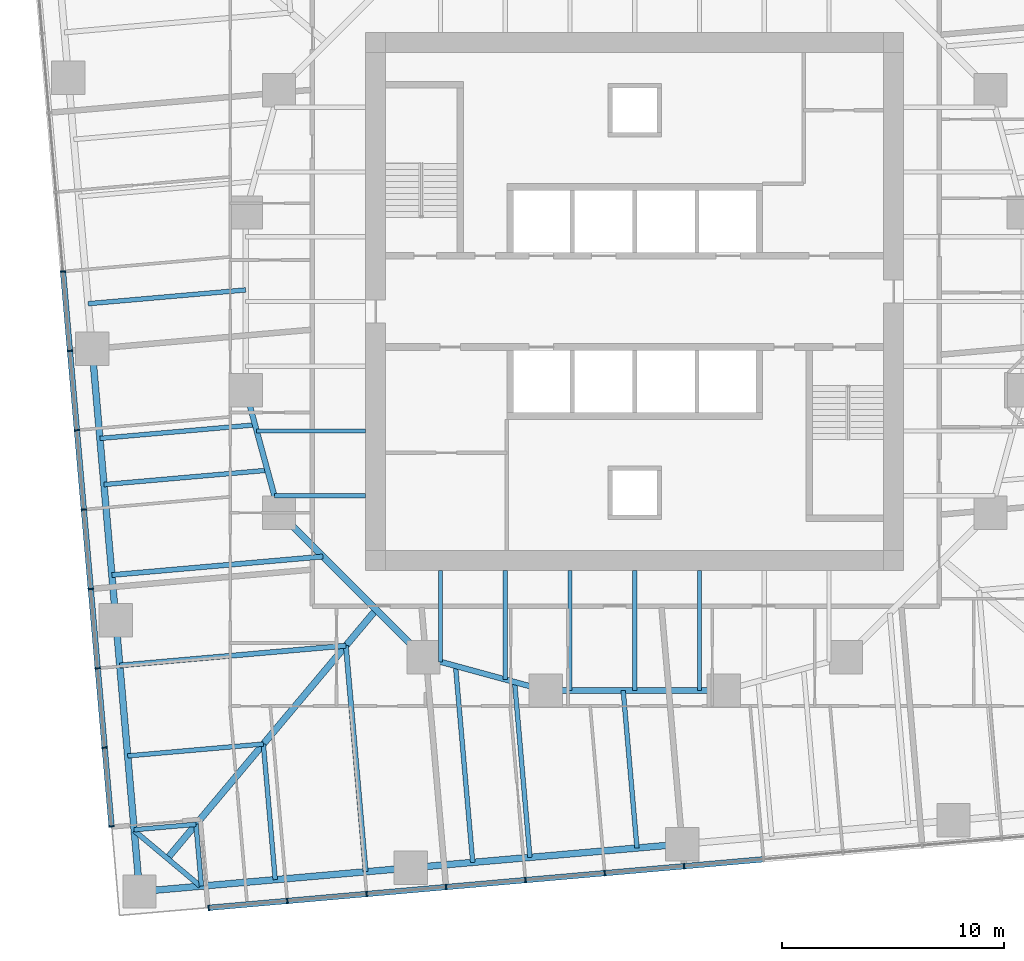
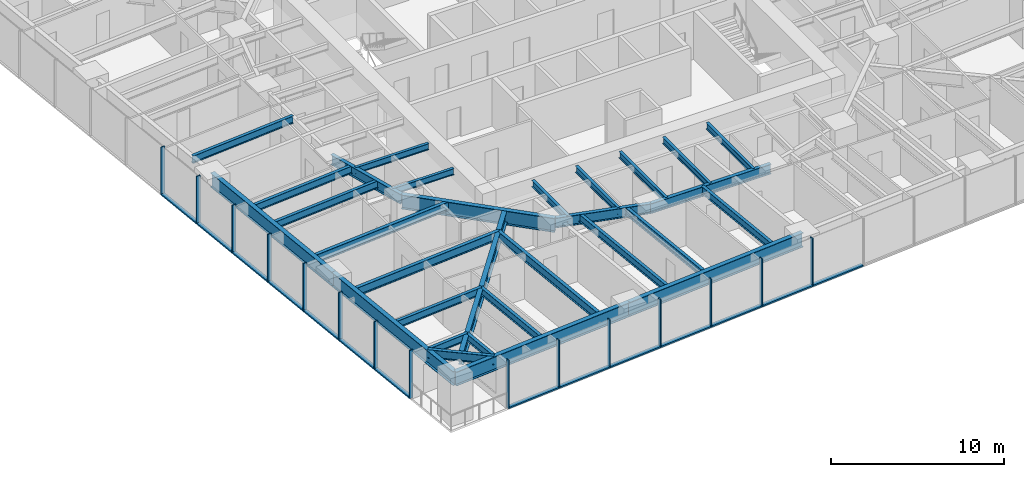
# One storey, part 2 of 14: 30 beams, 29 members, 2 elements without a shape of their own.
"""IFC4 building model written with IfcOpenShell, lengths in metres."""

from ifc_helpers import new_model, si_unit, direction, frame, origin, origin_2d, place, context, subcontext, project, spatial, rectangle, i_section, extrude, material, material_profile, profile_set, type_object, element, aggregate, save


model = new_model("IFC4")

# Units and contexts
model_context = context("Model", 3, precision=1e-05, world=origin(), true_north=direction((0.0, 1.0)))
body_context = subcontext(model_context, "Body", "Model", "MODEL_VIEW")
ifc_project = project(units=[si_unit("LENGTHUNIT", "METRE"), si_unit("AREAUNIT", "SQUARE_METRE"), si_unit("VOLUMEUNIT", "CUBIC_METRE"), si_unit("PLANEANGLEUNIT", "RADIAN"), si_unit("MASSUNIT", "GRAM", prefix="KILO")], contexts=[model_context])

# Site, building, storey
site_placement = place(None, origin())
site = spatial("IfcSite", under=ifc_project, at=site_placement, CompositionType="ELEMENT")
building_placement = place(site_placement, origin())
building = spatial("IfcBuilding", under=site, at=building_placement, Name="Torsade Residences", CompositionType="ELEMENT")
storey_placement = place(building_placement, frame((0.0, 0.0, 67.60009765625)))
storey = spatial("IfcBuildingStorey", under=building, at=storey_placement, Name="L18", CompositionType="ELEMENT", Elevation=67.60009765625)

# Beams
ifc_material_1 = material(Name="Steel grade 300", Category="steel")
ifc_material_profile_1 = material_profile(ifc_material_1, i_section(OverallWidth=0.300048828125, OverallDepth=0.89990234375, WebThickness=0.011962890625, FlangeThickness=0.02490234375, at=origin_2d()), Name="900WB175")
ifc_profile_set_1 = profile_set([ifc_material_profile_1], Name="Steel grade 300")
beam_type_1 = type_object("IfcBeamType", Name="CORNER GIRDER 900WB175", PredefinedType="BEAM", material=ifc_profile_set_1)
beam_1_placement = place(storey_placement, frame((18.978515625, 4.947509765625, 2.7998046875), z_axis=(0.642785419012, 0.766046281307, 0.0), x_axis=(-0.766046281307, 0.642785419012, 0.0)))
element("IfcBeam", 1, at=beam_1_placement, inside=storey, type_object=beam_type_1, Name="Corner girder 01 L19", PredefinedType="BEAM", context=body_context, shape_type="SweptSolid", body=[
    extrude(i_section(OverallWidth=0.300048828125, OverallDepth=0.89990234375, WebThickness=0.011962890625, FlangeThickness=0.02490234375, at=origin_2d()), origin(), (0.0, 0.0, 1.0), 14.603515625),
])
ifc_material_2 = material(Name="Steel grade 300", Category="steel")
ifc_material_profile_2 = material_profile(ifc_material_2, i_section(OverallWidth=0.22802734375, OverallDepth=0.60205078125, WebThickness=0.010498046875, FlangeThickness=0.014892578125, FilletRadius=0.013916015625, at=origin_2d()), Name="610UB101")
ifc_profile_set_2 = profile_set([ifc_material_profile_2], Name="Steel grade 300")
beam_type_2 = type_object("IfcBeamType", Name="CORNER TRIMMER 610UB101", PredefinedType="BEAM", material=ifc_profile_set_2)
beam_2_placement = place(storey_placement, frame((20.468017578125, 3.697509765625, 2.948974609375), z_axis=(-0.766030001697, 0.642804819911, 0.0), x_axis=(-0.642804819911, -0.766030001697, 0.0)))
element("IfcBeam", 2, at=beam_2_placement, inside=storey, type_object=beam_type_2, Name="Corner trimmer 01 L19", PredefinedType="BEAM", context=body_context, shape_type="SweptSolid", body=[
    extrude(i_section(OverallWidth=0.22802734375, OverallDepth=0.60205078125, WebThickness=0.010498046875, FlangeThickness=0.014892578125, FilletRadius=0.013916015625, at=origin_2d()), origin(), (0.0, 0.0, 1.0), 3.88916015625),
])

# Curtain wall, members
ifc_material_3 = material(Name="Aluminium and glass", Category="aluminium")
curtain_wall_type = type_object("IfcCurtainWallType", Name="FRITTED GLASS CURTAIN WALL LOW ZONE", PredefinedType="NOTDEFINED", material=ifc_material_3)
curtain_wall_1_placement = place(storey_placement, origin())
curtain_wall_1 = element("IfcCurtainWall", 3, at=curtain_wall_1_placement, inside=storey, type_object=curtain_wall_type, Name="Curtain wall L18 face 1", PredefinedType="NOTDEFINED")
ifc_material_4 = material(Name="Aluminium mullion", Category="aluminium")
ifc_material_profile_3 = material_profile(ifc_material_4, rectangle(XDim=0.25, YDim=0.06494140625, at=origin_2d()), Name="CURTAIN WALL MULLION 250x65")
ifc_profile_set_3 = profile_set([ifc_material_profile_3], Name="Aluminium mullion")
member_type_1 = type_object("IfcMemberType", Name="CURTAIN WALL MULLION 250x65", PredefinedType="MULLION", material=ifc_profile_set_3)
member_1_placement = place(storey_placement, frame((20.836669921875, 2.72607421875, 0.0), z_axis=(0.0, 0.0, 1.0), x_axis=(-0.087155744208, 0.996194697964, 0.0)))
member_1 = element("IfcMember", 4, at=member_1_placement, type_object=member_type_1, Name="Mullion 1", PredefinedType="MULLION", context=body_context, shape_type="SweptSolid", body=[
    extrude(rectangle(XDim=0.25, YDim=0.06494140625, at=origin_2d()), origin(), (0.0, 0.0, 1.0), 3.39990234375),
])
member_2_placement = place(storey_placement, frame((24.3740234375, 3.035400390625, 0.0), z_axis=(0.0, 0.0, 1.0), x_axis=(-0.087155744208, 0.996194697964, 0.0)))
member_2 = element("IfcMember", 5, at=member_2_placement, type_object=member_type_1, Name="Mullion 2", PredefinedType="MULLION", context=body_context, shape_type="SweptSolid", body=[
    extrude(rectangle(XDim=0.25, YDim=0.06494140625, at=origin_2d()), origin(), (0.0, 0.0, 1.0), 3.39990234375),
])
member_3_placement = place(storey_placement, frame((27.943603515625, 3.347900390625, 0.0), z_axis=(0.0, 0.0, 1.0), x_axis=(-0.087155744208, 0.996194697964, 0.0)))
member_3 = element("IfcMember", 6, at=member_3_placement, type_object=member_type_1, Name="Mullion 3", PredefinedType="MULLION", context=body_context, shape_type="SweptSolid", body=[
    extrude(rectangle(XDim=0.25, YDim=0.06494140625, at=origin_2d()), origin(), (0.0, 0.0, 1.0), 3.39990234375),
])
member_4_placement = place(storey_placement, frame((31.513427734375, 3.66015625, 0.0), z_axis=(0.0, 0.0, 1.0), x_axis=(-0.087155744208, 0.996194697964, 0.0)))
member_4 = element("IfcMember", 7, at=member_4_placement, type_object=member_type_1, Name="Mullion 4", PredefinedType="MULLION", context=body_context, shape_type="SweptSolid", body=[
    extrude(rectangle(XDim=0.25, YDim=0.06494140625, at=origin_2d()), origin(), (0.0, 0.0, 1.0), 3.39990234375),
])
member_5_placement = place(storey_placement, frame((35.0830078125, 3.972412109375, 0.0), z_axis=(0.0, 0.0, 1.0), x_axis=(-0.087155744208, 0.996194697964, 0.0)))
member_5 = element("IfcMember", 8, at=member_5_placement, type_object=member_type_1, Name="Mullion 5", PredefinedType="MULLION", context=body_context, shape_type="SweptSolid", body=[
    extrude(rectangle(XDim=0.25, YDim=0.06494140625, at=origin_2d()), origin(), (0.0, 0.0, 1.0), 3.39990234375),
])
member_6_placement = place(storey_placement, frame((38.65283203125, 4.28466796875, 0.0), z_axis=(0.0, 0.0, 1.0), x_axis=(-0.087155744208, 0.996194697964, 0.0)))
member_6 = element("IfcMember", 9, at=member_6_placement, type_object=member_type_1, Name="Mullion 6", PredefinedType="MULLION", context=body_context, shape_type="SweptSolid", body=[
    extrude(rectangle(XDim=0.25, YDim=0.06494140625, at=origin_2d()), origin(), (0.0, 0.0, 1.0), 3.39990234375),
])
member_7_placement = place(storey_placement, frame((42.222412109375, 4.596923828125, 0.0), z_axis=(0.0, 0.0, 1.0), x_axis=(-0.087155744208, 0.996194697964, 0.0)))
member_7 = element("IfcMember", 10, at=member_7_placement, type_object=member_type_1, Name="Mullion 7", PredefinedType="MULLION", context=body_context, shape_type="SweptSolid", body=[
    extrude(rectangle(XDim=0.25, YDim=0.06494140625, at=origin_2d()), origin(), (0.0, 0.0, 1.0), 3.39990234375),
])

curtain_wall_2_placement = place(storey_placement, origin())
curtain_wall_2 = element("IfcCurtainWall", 11, at=curtain_wall_2_placement, inside=storey, type_object=curtain_wall_type, Name="Curtain wall L18 face 10", PredefinedType="NOTDEFINED")
member_8_placement = place(storey_placement, frame((14.28466796875, 31.34716796875, 0.0), z_axis=(0.0, 0.0, 1.0), x_axis=(0.996194697964, 0.087155744208, 0.0)))
member_8 = element("IfcMember", 12, at=member_8_placement, type_object=member_type_1, Name="Mullion 6", PredefinedType="MULLION", context=body_context, shape_type="SweptSolid", body=[
    extrude(rectangle(XDim=0.25, YDim=0.06494140625, at=origin_2d()), origin(), (0.0, 0.0, 1.0), 3.39990234375),
])
member_9_placement = place(storey_placement, frame((14.596923828125, 27.777587890625, 0.0), z_axis=(0.0, 0.0, 1.0), x_axis=(0.996194697964, 0.087155744208, 0.0)))
member_9 = element("IfcMember", 13, at=member_9_placement, type_object=member_type_1, Name="Mullion 7", PredefinedType="MULLION", context=body_context, shape_type="SweptSolid", body=[
    extrude(rectangle(XDim=0.25, YDim=0.06494140625, at=origin_2d()), origin(), (0.0, 0.0, 1.0), 3.39990234375),
])
member_10_placement = place(storey_placement, frame((14.909423828125, 24.207763671875, 0.0), z_axis=(0.0, 0.0, 1.0), x_axis=(0.996194697964, 0.087155744208, 0.0)))
member_10 = element("IfcMember", 14, at=member_10_placement, type_object=member_type_1, Name="Mullion 8", PredefinedType="MULLION", context=body_context, shape_type="SweptSolid", body=[
    extrude(rectangle(XDim=0.25, YDim=0.06494140625, at=origin_2d()), origin(), (0.0, 0.0, 1.0), 3.39990234375),
])
member_11_placement = place(storey_placement, frame((15.2216796875, 20.63818359375, 0.0), z_axis=(0.0, 0.0, 1.0), x_axis=(0.996194697964, 0.087155744208, 0.0)))
member_11 = element("IfcMember", 15, at=member_11_placement, type_object=member_type_1, Name="Mullion 9", PredefinedType="MULLION", context=body_context, shape_type="SweptSolid", body=[
    extrude(rectangle(XDim=0.25, YDim=0.06494140625, at=origin_2d()), origin(), (0.0, 0.0, 1.0), 3.39990234375),
])
member_12_placement = place(storey_placement, frame((15.533935546875, 17.068359375, 0.0), z_axis=(0.0, 0.0, 1.0), x_axis=(0.996194697964, 0.087155744208, 0.0)))
member_12 = element("IfcMember", 16, at=member_12_placement, type_object=member_type_1, Name="Mullion 10", PredefinedType="MULLION", context=body_context, shape_type="SweptSolid", body=[
    extrude(rectangle(XDim=0.25, YDim=0.06494140625, at=origin_2d()), origin(), (0.0, 0.0, 1.0), 3.39990234375),
])
member_13_placement = place(storey_placement, frame((15.84619140625, 13.498779296875, 0.0), z_axis=(0.0, 0.0, 1.0), x_axis=(0.996194697964, 0.087155744208, 0.0)))
member_13 = element("IfcMember", 17, at=member_13_placement, type_object=member_type_1, Name="Mullion 11", PredefinedType="MULLION", context=body_context, shape_type="SweptSolid", body=[
    extrude(rectangle(XDim=0.25, YDim=0.06494140625, at=origin_2d()), origin(), (0.0, 0.0, 1.0), 3.39990234375),
])
member_14_placement = place(storey_placement, frame((16.15869140625, 9.928955078125, 0.0), z_axis=(0.0, 0.0, 1.0), x_axis=(0.996194697964, 0.087155744208, 0.0)))
member_14 = element("IfcMember", 18, at=member_14_placement, type_object=member_type_1, Name="Mullion 12", PredefinedType="MULLION", context=body_context, shape_type="SweptSolid", body=[
    extrude(rectangle(XDim=0.25, YDim=0.06494140625, at=origin_2d()), origin(), (0.0, 0.0, 1.0), 3.39990234375),
])
member_15_placement = place(storey_placement, frame((16.468017578125, 6.3916015625, 0.0), z_axis=(0.0, 0.0, 1.0), x_axis=(0.996194697964, 0.087155744208, 0.0)))
member_15 = element("IfcMember", 19, at=member_15_placement, type_object=member_type_1, Name="Mullion 13", PredefinedType="MULLION", context=body_context, shape_type="SweptSolid", body=[
    extrude(rectangle(XDim=0.25, YDim=0.06494140625, at=origin_2d()), origin(), (0.0, 0.0, 1.0), 3.39990234375),
])

# Member
ifc_material_5 = material(Name="Aluminium transom", Category="aluminium")
ifc_material_profile_4 = material_profile(ifc_material_5, rectangle(XDim=0.25, YDim=0.10009765625, at=origin_2d()), Name="CURTAIN WALL TRANSOM 250x100")
ifc_profile_set_4 = profile_set([ifc_material_profile_4], Name="Aluminium transom")
member_type_2 = type_object("IfcMemberType", Name="CURTAIN WALL TRANSOM 250x100", PredefinedType="USERDEFINED", material=ifc_profile_set_4)
member_16_placement = place(storey_placement, frame((20.869140625, 2.728759765625, 0.0498046875), z_axis=(0.996190751941, 0.0872008357, 0.0), x_axis=(-0.0872008357, 0.996190751941, 0.0)))
member_16 = element("IfcMember", 20, at=member_16_placement, type_object=member_type_2, Name="Transom 1.1", ObjectType="TRANSOM", PredefinedType="USERDEFINED", context=body_context, shape_type="SweptSolid", body=[
    extrude(rectangle(XDim=0.25, YDim=0.10009765625, at=origin_2d()), origin(), (0.0, 0.0, 1.0), 3.485595703125),
])

member_17_placement = place(storey_placement, frame((24.40625, 3.038330078125, 0.0498046875), z_axis=(0.996195148363, 0.08715059597, 0.0), x_axis=(-0.08715059597, 0.996195148363, 0.0)))
member_17 = element("IfcMember", 21, at=member_17_placement, type_object=member_type_2, Name="Transom 2.1", ObjectType="TRANSOM", PredefinedType="USERDEFINED", context=body_context, shape_type="SweptSolid", body=[
    extrude(rectangle(XDim=0.25, YDim=0.10009765625, at=origin_2d()), origin(), (0.0, 0.0, 1.0), 3.5185546875),
])

member_18_placement = place(storey_placement, frame((27.97607421875, 3.3505859375, 0.0498046875), z_axis=(0.996194621295, 0.087156620531, 0.0), x_axis=(-0.087156620531, 0.996194621295, 0.0)))
member_18 = element("IfcMember", 22, at=member_18_placement, type_object=member_type_2, Name="Transom 3.1", ObjectType="TRANSOM", PredefinedType="USERDEFINED", context=body_context, shape_type="SweptSolid", body=[
    extrude(rectangle(XDim=0.25, YDim=0.10009765625, at=origin_2d()), origin(), (0.0, 0.0, 1.0), 3.518310546875),
])

member_19_placement = place(storey_placement, frame((31.545654296875, 3.662841796875, 0.0498046875), z_axis=(0.996195148363, 0.08715059597, 0.0), x_axis=(-0.08715059597, 0.996195148363, 0.0)))
member_19 = element("IfcMember", 23, at=member_19_placement, type_object=member_type_2, Name="Transom 4.1", ObjectType="TRANSOM", PredefinedType="USERDEFINED", context=body_context, shape_type="SweptSolid", body=[
    extrude(rectangle(XDim=0.25, YDim=0.10009765625, at=origin_2d()), origin(), (0.0, 0.0, 1.0), 3.5185546875),
])

member_20_placement = place(storey_placement, frame((35.115478515625, 3.975341796875, 0.0498046875), z_axis=(0.996194621295, 0.087156620531, 0.0), x_axis=(-0.087156620531, 0.996194621295, 0.0)))
member_20 = element("IfcMember", 24, at=member_20_placement, type_object=member_type_2, Name="Transom 5.1", ObjectType="TRANSOM", PredefinedType="USERDEFINED", context=body_context, shape_type="SweptSolid", body=[
    extrude(rectangle(XDim=0.25, YDim=0.10009765625, at=origin_2d()), origin(), (0.0, 0.0, 1.0), 3.518310546875),
])

member_21_placement = place(storey_placement, frame((38.68505859375, 4.28759765625, 0.0498046875), z_axis=(0.996195148363, 0.08715059597, 0.0), x_axis=(-0.08715059597, 0.996195148363, 0.0)))
member_21 = element("IfcMember", 25, at=member_21_placement, type_object=member_type_2, Name="Transom 6.1", ObjectType="TRANSOM", PredefinedType="USERDEFINED", context=body_context, shape_type="SweptSolid", body=[
    extrude(rectangle(XDim=0.25, YDim=0.10009765625, at=origin_2d()), origin(), (0.0, 0.0, 1.0), 3.5185546875),
])

member_22_placement = place(storey_placement, frame((42.2548828125, 4.599853515625, 0.0498046875), z_axis=(0.996194621295, 0.087156620531, 0.0), x_axis=(-0.087156620531, 0.996194621295, 0.0)))
member_22 = element("IfcMember", 26, at=member_22_placement, type_object=member_type_2, Name="Transom 7.1", ObjectType="TRANSOM", PredefinedType="USERDEFINED", context=body_context, shape_type="SweptSolid", body=[
    extrude(rectangle(XDim=0.25, YDim=0.10009765625, at=origin_2d()), origin(), (0.0, 0.0, 1.0), 3.518310546875),
])

aggregate(curtain_wall_1, [member_1, member_2, member_3, member_4, member_5, member_6, member_7, member_16, member_17, member_18, member_19, member_20, member_21, member_22])

member_23_placement = place(storey_placement, frame((14.28759765625, 31.31494140625, 0.0498046875), z_axis=(0.08715059597, -0.996195148363, 0.0), x_axis=(0.996195148363, 0.08715059597, 0.0)))
member_23 = element("IfcMember", 27, at=member_23_placement, type_object=member_type_2, Name="Transom 6.1", ObjectType="TRANSOM", PredefinedType="USERDEFINED", context=body_context, shape_type="SweptSolid", body=[
    extrude(rectangle(XDim=0.25, YDim=0.10009765625, at=origin_2d()), origin(), (0.0, 0.0, 1.0), 3.5185546875),
])

member_24_placement = place(storey_placement, frame((14.599853515625, 27.7451171875, 0.0498046875), z_axis=(0.087156620531, -0.996194621295, 0.0), x_axis=(0.996194621295, 0.087156620531, 0.0)))
member_24 = element("IfcMember", 28, at=member_24_placement, type_object=member_type_2, Name="Transom 7.1", ObjectType="TRANSOM", PredefinedType="USERDEFINED", context=body_context, shape_type="SweptSolid", body=[
    extrude(rectangle(XDim=0.25, YDim=0.10009765625, at=origin_2d()), origin(), (0.0, 0.0, 1.0), 3.518310546875),
])

member_25_placement = place(storey_placement, frame((14.912109375, 24.175537109375, 0.0498046875), z_axis=(0.08715059597, -0.996195148363, 0.0), x_axis=(0.996195148363, 0.08715059597, 0.0)))
member_25 = element("IfcMember", 29, at=member_25_placement, type_object=member_type_2, Name="Transom 8.1", ObjectType="TRANSOM", PredefinedType="USERDEFINED", context=body_context, shape_type="SweptSolid", body=[
    extrude(rectangle(XDim=0.25, YDim=0.10009765625, at=origin_2d()), origin(), (0.0, 0.0, 1.0), 3.5185546875),
])

member_26_placement = place(storey_placement, frame((15.224365234375, 20.605712890625, 0.0498046875), z_axis=(0.087156620531, -0.996194621295, 0.0), x_axis=(0.996194621295, 0.087156620531, 0.0)))
member_26 = element("IfcMember", 30, at=member_26_placement, type_object=member_type_2, Name="Transom 9.1", ObjectType="TRANSOM", PredefinedType="USERDEFINED", context=body_context, shape_type="SweptSolid", body=[
    extrude(rectangle(XDim=0.25, YDim=0.10009765625, at=origin_2d()), origin(), (0.0, 0.0, 1.0), 3.518310546875),
])

member_27_placement = place(storey_placement, frame((15.536865234375, 17.0361328125, 0.0498046875), z_axis=(0.08715059597, -0.996195148363, 0.0), x_axis=(0.996195148363, 0.08715059597, 0.0)))
member_27 = element("IfcMember", 31, at=member_27_placement, type_object=member_type_2, Name="Transom 10.1", ObjectType="TRANSOM", PredefinedType="USERDEFINED", context=body_context, shape_type="SweptSolid", body=[
    extrude(rectangle(XDim=0.25, YDim=0.10009765625, at=origin_2d()), origin(), (0.0, 0.0, 1.0), 3.5185546875),
])

member_28_placement = place(storey_placement, frame((15.84912109375, 13.46630859375, 0.0498046875), z_axis=(0.087156620531, -0.996194621295, 0.0), x_axis=(0.996194621295, 0.087156620531, 0.0)))
member_28 = element("IfcMember", 32, at=member_28_placement, type_object=member_type_2, Name="Transom 11.1", ObjectType="TRANSOM", PredefinedType="USERDEFINED", context=body_context, shape_type="SweptSolid", body=[
    extrude(rectangle(XDim=0.25, YDim=0.10009765625, at=origin_2d()), origin(), (0.0, 0.0, 1.0), 3.518310546875),
])

member_29_placement = place(storey_placement, frame((16.161376953125, 9.896728515625, 0.0498046875), z_axis=(0.08719475177, -0.996191284475, 0.0), x_axis=(0.996191284475, 0.08719475177, 0.0)))
member_29 = element("IfcMember", 33, at=member_29_placement, type_object=member_type_2, Name="Transom 12.1", ObjectType="TRANSOM", PredefinedType="USERDEFINED", context=body_context, shape_type="SweptSolid", body=[
    extrude(rectangle(XDim=0.25, YDim=0.10009765625, at=origin_2d()), origin(), (0.0, 0.0, 1.0), 3.48583984375),
])

aggregate(curtain_wall_2, [member_8, member_9, member_10, member_11, member_12, member_13, member_14, member_15, member_23, member_24, member_25, member_26, member_27, member_28, member_29])

# Beams
ifc_material_6 = material(Name="Steel grade 300", Category="steel")
ifc_material_profile_5 = material_profile(ifc_material_6, i_section(OverallWidth=0.300048828125, OverallDepth=1.0, WebThickness=0.01611328125, FlangeThickness=0.028076171875, at=origin_2d()), Name="1000WB215")
ifc_profile_set_5 = profile_set([ifc_material_profile_5], Name="Steel grade 300")
beam_type_3 = type_object("IfcBeamType", Name="EDGE BEAM 1000WB215", PredefinedType="SPANDREL", material=ifc_profile_set_5)
for number, where, z_axis, x_axis, name in (
    (34, (17.728515625, 3.4580078125, 2.75), (0.996194907201, 0.08715335259, 0.0), (-0.08715335259, 0.996194907201, 0.0), "Edge beam 01 L19"),
    (35, (29.931884765625, 4.525634765625, 2.75), (0.996194907201, 0.08715335259, 0.0), (-0.08715335259, 0.996194907201, 0.0), "Edge beam 02 L19"),
    (36, (15.59326171875, 27.86474609375, 2.75), (0.08715335259, -0.996194907201, 0.0), (0.996194907201, 0.08715335259, 0.0), "Edge beam 15 L19"),
    (37, (16.660888671875, 15.661376953125, 2.75), (0.08715335259, -0.996194907201, 0.0), (0.996194907201, 0.08715335259, 0.0), "Edge beam 16 L19"),
):
    element("IfcBeam", number, at=place(storey_placement, frame(where, z_axis=z_axis, x_axis=x_axis)), inside=storey, type_object=beam_type_3, Name=name, PredefinedType="SPANDREL", context=body_context, shape_type="SweptSolid", body=[
        extrude(i_section(OverallWidth=0.300048828125, OverallDepth=1.0, WebThickness=0.01611328125, FlangeThickness=0.028076171875, at=origin_2d()), origin(), (0.0, 0.0, 1.0), 12.25),
    ])
ifc_material_7 = material(Name="Steel grade 300", Category="steel")
ifc_material_profile_6 = material_profile(ifc_material_7, i_section(OverallWidth=0.18994140625, OverallDepth=0.4541015625, WebThickness=0.008544921875, FlangeThickness=0.0126953125, FilletRadius=0.011474609375, at=origin_2d()), Name="460UB67.1")
ifc_profile_set_6 = profile_set([ifc_material_profile_6], Name="Steel grade 300")
beam_type_4 = type_object("IfcBeamType", Name="INNER FLOOR BEAM 460UB67.1", PredefinedType="JOIST", material=ifc_profile_set_6)
for number, where, z_axis, x_axis, name in (
    (38, (42.91259765625, 17.89990234375, 3.02294921875), (0.0, -1.0, 0.0), (1.0, 0.0, 0.0), "Inner floor beam IS03 L19"),
    (39, (40.0, 17.89990234375, 3.02294921875), (0.0, -1.0, 0.0), (1.0, 0.0, 0.0), "Inner floor beam IS04 L19"),
    (40, (37.08740234375, 17.89990234375, 3.02294921875), (0.0, -1.0, 0.0), (1.0, 0.0, 0.0), "Inner floor beam IS05 L19"),
):
    element("IfcBeam", number, at=place(storey_placement, frame(where, z_axis=z_axis, x_axis=x_axis)), inside=storey, type_object=beam_type_4, Name=name, PredefinedType="JOIST", context=body_context, shape_type="SweptSolid", body=[
        extrude(i_section(OverallWidth=0.18994140625, OverallDepth=0.4541015625, WebThickness=0.008544921875, FlangeThickness=0.0126953125, FilletRadius=0.011474609375, at=origin_2d()), origin(), (0.0, 0.0, 1.0), 5.39990234375),
    ])
beam_3_placement = place(storey_placement, frame((34.175048828125, 17.89990234375, 3.02294921875), z_axis=(0.0, -1.0, 0.0), x_axis=(1.0, 0.0, 0.0)))
element("IfcBeam", 41, at=beam_3_placement, inside=storey, type_object=beam_type_4, Name="Inner floor beam IS06 L19", PredefinedType="JOIST", context=body_context, shape_type="SweptSolid", body=[
    extrude(i_section(OverallWidth=0.18994140625, OverallDepth=0.4541015625, WebThickness=0.008544921875, FlangeThickness=0.0126953125, FilletRadius=0.011474609375, at=origin_2d()), origin(), (0.0, 0.0, 1.0), 4.902099609375),
])
beam_4_placement = place(storey_placement, frame((31.262451171875, 17.89990234375, 3.02294921875), z_axis=(0.0, -1.0, 0.0), x_axis=(1.0, 0.0, 0.0)))
element("IfcBeam", 42, at=beam_4_placement, inside=storey, type_object=beam_type_4, Name="Inner floor beam IS07 L19", PredefinedType="JOIST", context=body_context, shape_type="SweptSolid", body=[
    extrude(i_section(OverallWidth=0.18994140625, OverallDepth=0.4541015625, WebThickness=0.008544921875, FlangeThickness=0.0126953125, FilletRadius=0.011474609375, at=origin_2d()), origin(), (0.0, 0.0, 1.0), 4.10791015625),
])
beam_5_placement = place(storey_placement, frame((27.89990234375, 24.175048828125, 3.02294921875), z_axis=(-1.0, 0.0, 0.0), x_axis=(0.0, -1.0, 0.0)))
element("IfcBeam", 43, at=beam_5_placement, inside=storey, type_object=beam_type_4, Name="Inner floor beam IW06 L19", PredefinedType="JOIST", context=body_context, shape_type="SweptSolid", body=[
    extrude(i_section(OverallWidth=0.18994140625, OverallDepth=0.4541015625, WebThickness=0.008544921875, FlangeThickness=0.0126953125, FilletRadius=0.011474609375, at=origin_2d()), origin(), (0.0, 0.0, 1.0), 4.902099609375),
])
beam_6_placement = place(storey_placement, frame((27.89990234375, 21.262451171875, 3.02294921875), z_axis=(-1.0, 0.0, 0.0), x_axis=(0.0, -1.0, 0.0)))
element("IfcBeam", 44, at=beam_6_placement, inside=storey, type_object=beam_type_4, Name="Inner floor beam IW07 L19", PredefinedType="JOIST", context=body_context, shape_type="SweptSolid", body=[
    extrude(i_section(OverallWidth=0.18994140625, OverallDepth=0.4541015625, WebThickness=0.008544921875, FlangeThickness=0.0126953125, FilletRadius=0.011474609375, at=origin_2d()), origin(), (0.0, 0.0, 1.0), 4.10791015625),
])
ifc_material_8 = material(Name="Steel grade 300", Category="steel")
ifc_material_profile_7 = material_profile(ifc_material_8, i_section(OverallWidth=0.300048828125, OverallDepth=1.0, WebThickness=0.01611328125, FlangeThickness=0.028076171875, at=origin_2d()), Name="1000WB215")
ifc_profile_set_7 = profile_set([ifc_material_profile_7], Name="Steel grade 300")
beam_type_5 = type_object("IfcBeamType", Name="RING CORNER GIRDER 1000WB215", PredefinedType="BEAM", material=ifc_profile_set_7)
beam_7_placement = place(storey_placement, frame((24.0, 20.5, 2.75), z_axis=(0.707106781187, -0.707106781187, 0.0), x_axis=(0.707106781187, 0.707106781187, 0.0)))
element("IfcBeam", 45, at=beam_7_placement, inside=storey, type_object=beam_type_5, Name="Ring girder IR11 L19", PredefinedType="BEAM", context=body_context, shape_type="SweptSolid", body=[
    extrude(i_section(OverallWidth=0.300048828125, OverallDepth=1.0, WebThickness=0.01611328125, FlangeThickness=0.028076171875, at=origin_2d()), origin(), (0.0, 0.0, 1.0), 9.1923828125),
])
ifc_material_9 = material(Name="Steel grade 300", Category="steel")
ifc_material_profile_8 = material_profile(ifc_material_9, i_section(OverallWidth=0.25, OverallDepth=0.699951171875, WebThickness=0.010009765625, FlangeThickness=0.02001953125, at=origin_2d()), Name="700WB130")
ifc_profile_set_8 = profile_set([ifc_material_profile_8], Name="Steel grade 300")
beam_type_6 = type_object("IfcBeamType", Name="RING GIRDER 700WB130", PredefinedType="BEAM", material=ifc_profile_set_8)
for number, where, z_axis, x_axis, name in (
    (46, (22.5, 26.0, 2.89990234375), (0.263117405792, -0.964763821238, 0.0), (0.964763821238, 0.263117405792, 0.0), "Ring girder IR10 L19"),
    (47, (30.5, 14.0, 2.89990234375), (0.964763821238, -0.263117405792, 0.0), (0.263117405792, 0.964763821238, 0.0), "Ring girder IR12 L19"),
):
    element("IfcBeam", number, at=place(storey_placement, frame(where, z_axis=z_axis, x_axis=x_axis)), inside=storey, type_object=beam_type_6, Name=name, PredefinedType="BEAM", context=body_context, shape_type="SweptSolid", body=[
        extrude(i_section(OverallWidth=0.25, OverallDepth=0.699951171875, WebThickness=0.010009765625, FlangeThickness=0.02001953125, at=origin_2d()), origin(), (0.0, 0.0, 1.0), 5.700927734375),
    ])
beam_8_placement = place(storey_placement, frame((36.0, 12.5, 2.89990234375), z_axis=(1.0, 0.0, 0.0), x_axis=(0.0, 1.0, 0.0)))
element("IfcBeam", 48, at=beam_8_placement, inside=storey, type_object=beam_type_6, Name="Ring girder IR13 L19", PredefinedType="BEAM", context=body_context, shape_type="SweptSolid", body=[
    extrude(i_section(OverallWidth=0.25, OverallDepth=0.699951171875, WebThickness=0.010009765625, FlangeThickness=0.02001953125, at=origin_2d()), origin(), (0.0, 0.0, 1.0), 8.0),
])
ifc_material_10 = material(Name="Steel grade 300", Category="steel")
ifc_material_profile_9 = material_profile(ifc_material_10, i_section(OverallWidth=0.208984375, OverallDepth=0.528076171875, WebThickness=0.009521484375, FlangeThickness=0.01318359375, FilletRadius=0.013916015625, at=origin_2d()), Name="530UB82.0")
ifc_profile_set_9 = profile_set([ifc_material_profile_9], Name="Steel grade 300")
beam_type_7 = type_object("IfcBeamType", Name="SECONDARY BEAM 530UB82.0", PredefinedType="JOIST", material=ifc_profile_set_9)
beam_9_placement = place(storey_placement, frame((20.509521484375, 3.701171875, 2.98583984375), z_axis=(-0.087105111923, 0.996199126418, 0.0), x_axis=(-0.996199126418, -0.087105111923, 0.0)))
element("IfcBeam", 49, at=beam_9_placement, inside=storey, type_object=beam_type_7, Name="Floor beam FS01 L19", PredefinedType="JOIST", context=body_context, shape_type="SweptSolid", body=[
    extrude(i_section(OverallWidth=0.208984375, OverallDepth=0.528076171875, WebThickness=0.009521484375, FlangeThickness=0.01318359375, FilletRadius=0.013916015625, at=origin_2d()), origin(), (0.0, 0.0, 1.0), 2.79150390625),
])
beam_10_placement = place(storey_placement, frame((23.830322265625, 3.99169921875, 2.98583984375), z_axis=(-0.087171400335, 0.996193328106, 0.0), x_axis=(-0.996193328106, -0.087171400335, 0.0)))
element("IfcBeam", 50, at=beam_10_placement, inside=storey, type_object=beam_type_7, Name="Floor beam FS02 L19", PredefinedType="JOIST", context=body_context, shape_type="SweptSolid", body=[
    extrude(i_section(OverallWidth=0.208984375, OverallDepth=0.528076171875, WebThickness=0.009521484375, FlangeThickness=0.01318359375, FilletRadius=0.013916015625, at=origin_2d()), origin(), (0.0, 0.0, 1.0), 6.125244140625),
])
beam_11_placement = place(storey_placement, frame((32.712890625, 4.768798828125, 2.98583984375), z_axis=(-0.08714612802, 0.996195539225, 0.0), x_axis=(-0.996195539225, -0.08714612802, 0.0)))
element("IfcBeam", 51, at=beam_11_placement, inside=storey, type_object=beam_type_7, Name="Floor beam FS04 L19", PredefinedType="JOIST", context=body_context, shape_type="SweptSolid", body=[
    extrude(i_section(OverallWidth=0.208984375, OverallDepth=0.528076171875, WebThickness=0.009521484375, FlangeThickness=0.01318359375, FilletRadius=0.013916015625, at=origin_2d()), origin(), (0.0, 0.0, 1.0), 8.872314453125),
])
beam_12_placement = place(storey_placement, frame((35.286376953125, 4.994140625, 2.98583984375), z_axis=(-0.087157771408, 0.996194520605, 0.0), x_axis=(-0.996194520605, -0.087157771408, 0.0)))
element("IfcBeam", 52, at=beam_12_placement, inside=storey, type_object=beam_type_7, Name="Floor beam FS05 L19", PredefinedType="JOIST", context=body_context, shape_type="SweptSolid", body=[
    extrude(i_section(OverallWidth=0.208984375, OverallDepth=0.528076171875, WebThickness=0.009521484375, FlangeThickness=0.01318359375, FilletRadius=0.013916015625, at=origin_2d()), origin(), (0.0, 0.0, 1.0), 7.918701171875),
])
for number, where, z_axis, x_axis, name in (
    (53, (40.101318359375, 5.415283203125, 2.98583984375), (-0.087127345813, 0.996197182094, 0.0), (-0.996197182094, -0.087127345813, 0.0), "Floor beam FS06 L19"),
    (54, (15.415283203125, 29.898681640625, 2.98583984375), (0.996197182094, 0.087127345813, 0.0), (-0.087127345813, 0.996197182094, 0.0), "Floor beam FW06 L19"),
):
    element("IfcBeam", number, at=place(storey_placement, frame(where, z_axis=z_axis, x_axis=x_axis)), inside=storey, type_object=beam_type_7, Name=name, PredefinedType="JOIST", context=body_context, shape_type="SweptSolid", body=[
        extrude(i_section(OverallWidth=0.208984375, OverallDepth=0.528076171875, WebThickness=0.009521484375, FlangeThickness=0.01318359375, FilletRadius=0.013916015625, at=origin_2d()), origin(), (0.0, 0.0, 1.0), 7.11181640625),
    ])
beam_13_placement = place(storey_placement, frame((15.945556640625, 23.83837890625, 2.98583984375), z_axis=(0.99619296077, 0.087175598142, 0.0), x_axis=(-0.087175598142, 0.99619296077, 0.0)))
element("IfcBeam", 55, at=beam_13_placement, inside=storey, type_object=beam_type_7, Name="Floor beam FW07 L19", PredefinedType="JOIST", context=body_context, shape_type="SweptSolid", body=[
    extrude(i_section(OverallWidth=0.208984375, OverallDepth=0.528076171875, WebThickness=0.009521484375, FlangeThickness=0.01318359375, FilletRadius=0.013916015625, at=origin_2d()), origin(), (0.0, 0.0, 1.0), 7.004150390625),
])
beam_14_placement = place(storey_placement, frame((16.126953125, 21.762939453125, 2.98583984375), z_axis=(0.996194650902, 0.087156282128, 0.0), x_axis=(-0.087156282128, 0.996194650902, 0.0)))
element("IfcBeam", 56, at=beam_14_placement, inside=storey, type_object=beam_type_7, Name="Floor beam FW08 L19", PredefinedType="JOIST", context=body_context, shape_type="SweptSolid", body=[
    extrude(i_section(OverallWidth=0.208984375, OverallDepth=0.528076171875, WebThickness=0.009521484375, FlangeThickness=0.01318359375, FilletRadius=0.013916015625, at=origin_2d()), origin(), (0.0, 0.0, 1.0), 7.381103515625),
])
beam_15_placement = place(storey_placement, frame((17.19482421875, 9.5595703125, 2.98583984375), z_axis=(0.996193025206, 0.087174861801, 0.0), x_axis=(-0.087174861801, 0.996193025206, 0.0)))
element("IfcBeam", 57, at=beam_15_placement, inside=storey, type_object=beam_type_7, Name="Floor beam FW11 L19", PredefinedType="JOIST", context=body_context, shape_type="SweptSolid", body=[
    extrude(i_section(OverallWidth=0.208984375, OverallDepth=0.528076171875, WebThickness=0.009521484375, FlangeThickness=0.01318359375, FilletRadius=0.013916015625, at=origin_2d()), origin(), (0.0, 0.0, 1.0), 6.125),
])
beam_16_placement = place(storey_placement, frame((17.4853515625, 6.239013671875, 2.98583984375), z_axis=(0.996199126418, 0.087105111923, 0.0), x_axis=(-0.087105111923, 0.996199126418, 0.0)))
element("IfcBeam", 58, at=beam_16_placement, inside=storey, type_object=beam_type_7, Name="Floor beam FW12 L19", PredefinedType="JOIST", context=body_context, shape_type="SweptSolid", body=[
    extrude(i_section(OverallWidth=0.208984375, OverallDepth=0.528076171875, WebThickness=0.009521484375, FlangeThickness=0.01318359375, FilletRadius=0.013916015625, at=origin_2d()), origin(), (0.0, 0.0, 1.0), 2.79150390625),
])
ifc_material_11 = material(Name="Steel grade 300", Category="steel")
ifc_material_profile_10 = material_profile(ifc_material_11, i_section(OverallWidth=0.22900390625, OverallDepth=0.612060546875, WebThickness=0.011962890625, FlangeThickness=0.01953125, FilletRadius=0.013916015625, at=origin_2d()), Name="610UB125")
ifc_profile_set_10 = profile_set([ifc_material_profile_10], Name="Steel grade 300")
beam_type_8 = type_object("IfcBeamType", Name="SECONDARY BEAM 610UB125", PredefinedType="JOIST", material=ifc_profile_set_10)
beam_17_placement = place(storey_placement, frame((27.89794921875, 4.34765625, 2.94384765625), z_axis=(-0.087149742944, 0.996195222988, 0.0), x_axis=(-0.996195222988, -0.087149742944, 0.0)))
element("IfcBeam", 59, at=beam_17_placement, inside=storey, type_object=beam_type_8, Name="Floor beam FS03 L19", PredefinedType="JOIST", context=body_context, shape_type="SweptSolid", body=[
    extrude(i_section(OverallWidth=0.22900390625, OverallDepth=0.612060546875, WebThickness=0.011962890625, FlangeThickness=0.01953125, FilletRadius=0.013916015625, at=origin_2d()), origin(), (0.0, 0.0, 1.0), 10.208251953125),
])
beam_18_placement = place(storey_placement, frame((16.48291015625, 17.6953125, 2.94384765625), z_axis=(0.996195358323, 0.087148195942, 0.0), x_axis=(-0.087148195942, 0.996195358323, 0.0)))
element("IfcBeam", 60, at=beam_18_placement, inside=storey, type_object=beam_type_8, Name="Floor beam FW09 L19", PredefinedType="JOIST", context=body_context, shape_type="SweptSolid", body=[
    extrude(i_section(OverallWidth=0.22900390625, OverallDepth=0.612060546875, WebThickness=0.011962890625, FlangeThickness=0.01953125, FilletRadius=0.013916015625, at=origin_2d()), origin(), (0.0, 0.0, 1.0), 9.527587890625),
])
beam_19_placement = place(storey_placement, frame((16.8388671875, 13.62744140625, 2.94384765625), z_axis=(0.996195222988, 0.087149742944, 0.0), x_axis=(-0.087149742944, 0.996195222988, 0.0)))
element("IfcBeam", 61, at=beam_19_placement, inside=storey, type_object=beam_type_8, Name="Floor beam FW10 L19", PredefinedType="JOIST", context=body_context, shape_type="SweptSolid", body=[
    extrude(i_section(OverallWidth=0.22900390625, OverallDepth=0.612060546875, WebThickness=0.011962890625, FlangeThickness=0.01953125, FilletRadius=0.013916015625, at=origin_2d()), origin(), (0.0, 0.0, 1.0), 10.208251953125),
])

save(model, "model.ifc")
